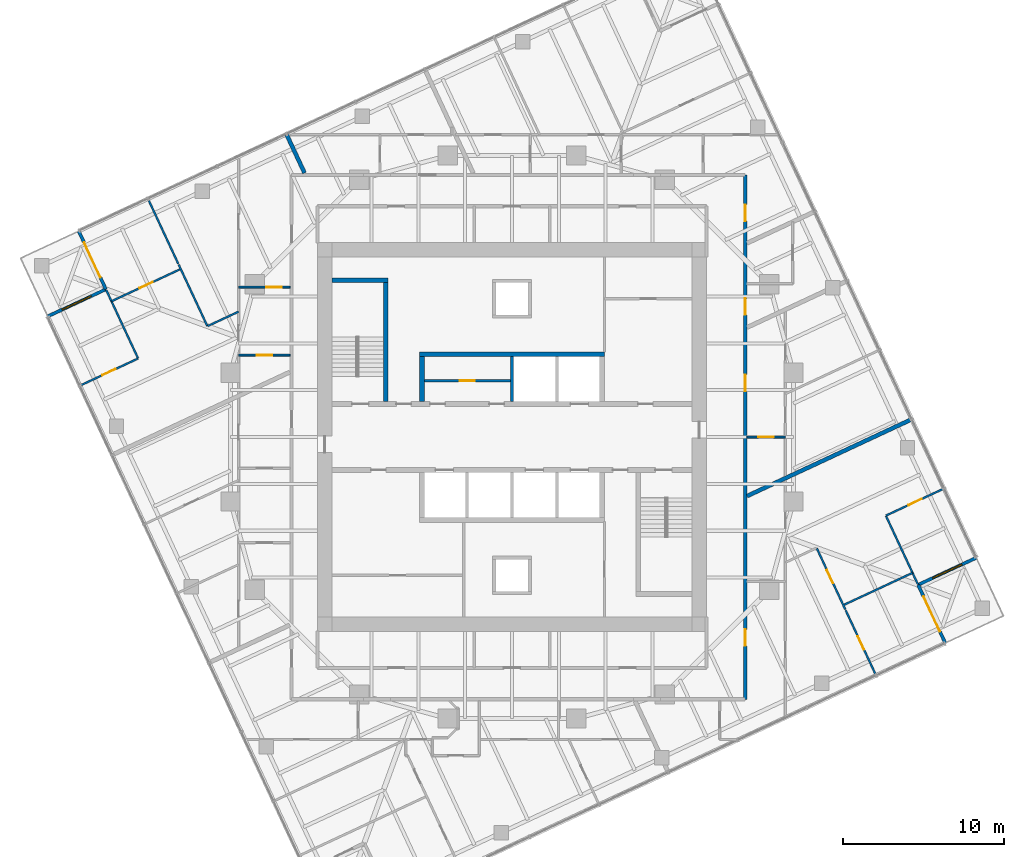
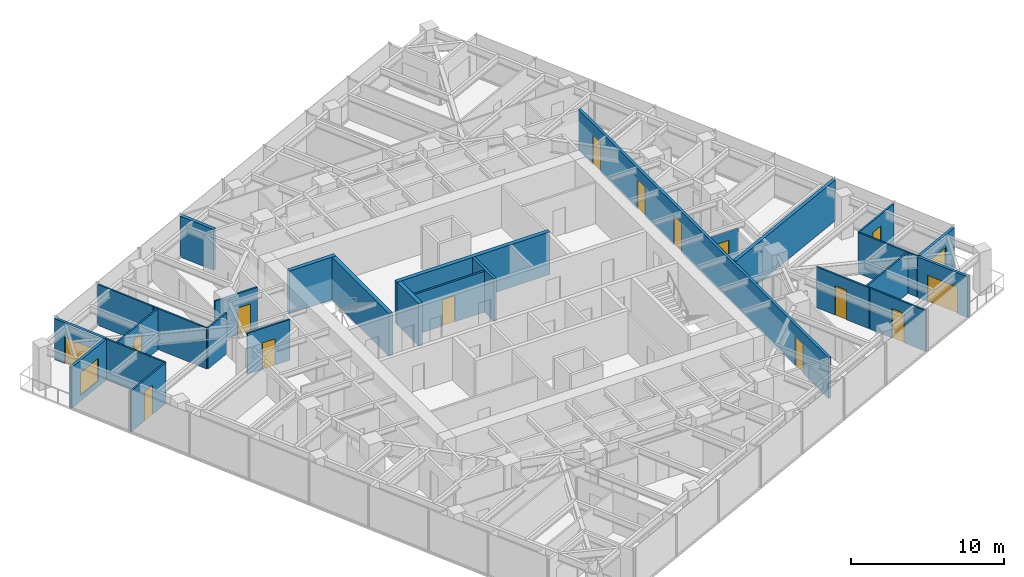
# One storey, part 10 of 13: 27 walls, 15 doors, 2 windows, 17 openings.
"""IFC4 building model written with IfcOpenShell, lengths in metres."""

import ifcopenshell
import ifcopenshell.guid

model = None  # the IFC model being written
_history = None  # IfcOwnerHistory: only IFC2X3 demands one
_inside = {}  # id of a spatial element -> (the spatial element, [elements in it])
_under = {}  # id of a project, library or spatial element -> (it, [spatial elements below it])
_declared = {}  # id of a project -> (the project, [libraries it declares])
_typed = {}  # id of a type object -> (the type object, [elements of that type])
_made_of = {}  # id of a material, layer set ... -> (it, [elements and type objects made of it])


def new_model(schema):
    """Start an empty IFC model of exactly this schema.

    Asked for "IFC4X3", IfcOpenShell would pick the latest addendum, in which some entities
    have other attributes; the version numbers below select the first issue.
    IFC2X3 requires an IfcOwnerHistory on every rooted entity: one is made here for all.
    """
    global model, _history
    if schema == "IFC4X3":
        model = ifcopenshell.file(schema_version=(4, 3, 0, 0))
    else:
        model = ifcopenshell.file(schema=schema)
    _inside.clear()
    _under.clear()
    _declared.clear()
    _typed.clear()
    _made_of.clear()
    _history = None
    if model.schema == "IFC2X3":
        org = make("IfcOrganization", Name="unknown")
        user = make(
            "IfcPersonAndOrganization",
            ThePerson=make("IfcPerson", FamilyName="unknown"),
            TheOrganization=org,
        )
        app = make(
            "IfcApplication",
            ApplicationDeveloper=org,
            Version="unknown",
            ApplicationFullName="unknown",
            ApplicationIdentifier="unknown",
        )
        _history = make(
            "IfcOwnerHistory",
            OwningUser=user,
            OwningApplication=app,
            ChangeAction="ADDED",
            CreationDate=0,
        )
    return model


def make(cls, **values):
    """One entity of the class cls with the attributes given. An attribute that is None is left unset."""
    return model.create_entity(
        cls, **{name: value for name, value in values.items() if value is not None}
    )


def rooted(cls, **values):
    """An entity with a GlobalId (a new one), such as an element, a storey or a relation."""
    return make(cls, GlobalId=ifcopenshell.guid.new(), OwnerHistory=_history, **values)


def si_unit(unit_type, name, prefix=None):
    """IfcSIUnit, for example si_unit("LENGTHUNIT", "METRE", prefix="MILLI")."""
    return make("IfcSIUnit", UnitType=unit_type, Prefix=prefix, Name=name)


def assignment(units):
    """IfcUnitAssignment: the units of a project."""
    return None if units is None else make("IfcUnitAssignment", Units=units)


def point(xyz):
    """IfcCartesianPoint."""
    return None if xyz is None else make("IfcCartesianPoint", Coordinates=xyz)


def direction(xyz):
    """IfcDirection."""
    return None if xyz is None else make("IfcDirection", DirectionRatios=xyz)


def frame(location, z_axis=None, x_axis=None):
    """IfcAxis2Placement3D, a coordinate frame: its origin and axes. An axis left out is left unset."""
    return make(
        "IfcAxis2Placement3D",
        Location=point(location),
        Axis=direction(z_axis),
        RefDirection=direction(x_axis),
    )


def frame_2d(location, x_axis=None):
    """IfcAxis2Placement2D, a coordinate frame in the plane: its origin and x axis."""
    return make(
        "IfcAxis2Placement2D", Location=point(location), RefDirection=direction(x_axis)
    )


def origin():
    """The frame at (0, 0, 0) with its axes left unset."""
    return frame((0.0, 0.0, 0.0))


def place(relative_to, where):
    """IfcLocalPlacement: puts the frame where relative to a parent placement (None: the world)."""
    return make(
        "IfcLocalPlacement", PlacementRelTo=relative_to, RelativePlacement=where
    )


def context(
    kind, dimensions, precision=None, world=None, true_north=None, identifier=None
):
    """IfcGeometricRepresentationContext, for example the 3D "Model" context."""
    return make(
        "IfcGeometricRepresentationContext",
        ContextIdentifier=identifier,
        ContextType=kind,
        CoordinateSpaceDimension=dimensions,
        Precision=precision,
        WorldCoordinateSystem=world,
        TrueNorth=true_north,
    )


def subcontext(parent, identifier, kind, view, scale=None):
    """IfcGeometricRepresentationSubContext, for example "Body" below "Model"."""
    return make(
        "IfcGeometricRepresentationSubContext",
        ContextIdentifier=identifier,
        ContextType=kind,
        ParentContext=parent,
        TargetScale=scale,
        TargetView=view,
    )


def project(units=None, contexts=None):
    """IfcProject with its units and contexts."""
    return rooted(
        "IfcProject",
        Name="project",
        RepresentationContexts=contexts,
        UnitsInContext=assignment(units),
    )


def spatial(cls, under=None, at=None, **own):
    """A site, building, storey or space (cls), placed at a placement, below another one or the project."""
    s = rooted(cls, ObjectPlacement=at, **own)
    if under is not None:
        _under.setdefault(under.id(), (under, []))[1].append(s)
    return s


def profile(cls, at=None, kind="AREA", **sizes):
    """A parametric profile (cls). Its sizes go by their IFC names, for example OverallWidth=200.0."""
    return make(cls, ProfileType=kind, Position=at, **sizes)


def rectangle(**sizes):
    """IfcRectangleProfileDef."""
    return profile("IfcRectangleProfileDef", **sizes)


def extrude(swept, where, along, depth):
    """IfcExtrudedAreaSolid: the profile swept, set in the frame where, extruded along a direction by depth."""
    return make(
        "IfcExtrudedAreaSolid",
        SweptArea=swept,
        Position=where,
        ExtrudedDirection=direction(along),
        Depth=depth,
    )


def shape(context_of_items, identifier, shape_type, items):
    """IfcShapeRepresentation: the items that make up one representation, for example the "Body"."""
    return make(
        "IfcShapeRepresentation",
        ContextOfItems=context_of_items,
        RepresentationIdentifier=identifier,
        RepresentationType=shape_type,
        Items=items,
    )


def material(Name=None, Category=None):
    """IfcMaterial."""
    return make("IfcMaterial", Name=Name, Category=Category)


def layer(
    of_material, thickness, ventilated=None, Name=None, Category=None, Priority=None
):
    """IfcMaterialLayer: one layer of a wall or slab, of a material (None: an air gap)."""
    return make(
        "IfcMaterialLayer",
        Material=of_material,
        LayerThickness=thickness,
        IsVentilated=ventilated,
        Name=Name,
        Category=Category,
        Priority=Priority,
    )


def layer_set(layers, Name=None):
    """IfcMaterialLayerSet."""
    return make("IfcMaterialLayerSet", MaterialLayers=layers, LayerSetName=Name)


def made_of(thing, what):
    """Note that an element or type object is made of a material, layer set ...; save() writes the relation."""
    if what is not None:
        _made_of.setdefault(what.id(), (what, []))[1].append(thing)
    return thing


def type_object(cls, material=None, **own):
    """A type object (cls), such as IfcWallType, which elements share."""
    return made_of(rooted(cls, **own), material)


def element(
    cls,
    number,
    at=None,
    inside=None,
    cuts=None,
    type_object=None,
    material=None,
    context=None,
    identifier="Body",
    shape_type=None,
    held_by="IfcProductDefinitionShape",
    body=None,
    shapes=None,
    **own,
):
    """One element of the class cls, such as IfcWall. Its Tag is "e" and its number.

    at: its placement. inside: the storey or other place that contains it. cuts: it is an
    opening in that element (IfcRelVoidsElement). A single representation is given by context,
    identifier, shape_type and body (its items); several are given by shapes. held_by: the class
    of the entity that holds the representations. save() writes the other relations.
    """
    e = rooted(cls, Tag="e%d" % number, ObjectPlacement=at, **own)
    if body is not None:
        shapes = [shape(context, identifier, shape_type, body)]
    if shapes is not None:
        e.Representation = make(held_by, Representations=shapes)
    if inside is not None:
        _inside.setdefault(inside.id(), (inside, []))[1].append(e)
    if cuts is not None:
        rooted(
            "IfcRelVoidsElement", RelatingBuildingElement=cuts, RelatedOpeningElement=e
        )
    if type_object is not None:
        _typed.setdefault(type_object.id(), (type_object, []))[1].append(e)
    return made_of(e, material)


def fill(opening, filler):
    """IfcRelFillsElement: the door or window that sits in an opening."""
    return rooted(
        "IfcRelFillsElement",
        RelatingOpeningElement=opening,
        RelatedBuildingElement=filler,
    )


def aggregate(whole, parts):
    """IfcRelAggregates: a whole, such as a stair, and the parts it consists of."""
    return rooted("IfcRelAggregates", RelatingObject=whole, RelatedObjects=parts)


def save(model, path):
    """Write the relations noted so far, then the file.

    IfcRelAggregates (storeys below a building ...), IfcRelContainedInSpatialStructure (elements
    in a storey), IfcRelDefinesByType, IfcRelAssociatesMaterial and IfcRelDeclares: one each for
    every whole, place, type object, material and project.
    """
    for whole, parts in _under.values():
        aggregate(whole, parts)
    for where, things in _inside.values():
        rooted(
            "IfcRelContainedInSpatialStructure",
            RelatedElements=things,
            RelatingStructure=where,
        )
    for kind, things in _typed.values():
        rooted("IfcRelDefinesByType", RelatedObjects=things, RelatingType=kind)
    for what, things in _made_of.values():
        rooted("IfcRelAssociatesMaterial", RelatedObjects=things, RelatingMaterial=what)
    for by, libraries in _declared.values():
        rooted("IfcRelDeclares", RelatingContext=by, RelatedDefinitions=libraries)
    model.write(path)


model = new_model("IFC4")

# Units and contexts
model_context = context("Model", 3, precision=1e-05, world=origin(), true_north=direction((0.0, 1.0)))
body_context = subcontext(model_context, "Body", "Model", "MODEL_VIEW")
ifc_project = project(units=[si_unit("LENGTHUNIT", "METRE"), si_unit("AREAUNIT", "SQUARE_METRE"), si_unit("VOLUMEUNIT", "CUBIC_METRE"), si_unit("PLANEANGLEUNIT", "RADIAN"), si_unit("MASSUNIT", "GRAM", prefix="KILO")], contexts=[model_context])

# Site, building, storey
site_placement = place(None, origin())
site = spatial("IfcSite", under=ifc_project, at=site_placement, CompositionType="ELEMENT")
building_placement = place(site_placement, origin())
building = spatial("IfcBuilding", under=site, at=building_placement, Name="Torsade Residences", CompositionType="ELEMENT")
storey_placement = place(building_placement, frame((0.0, 0.0, 179.39990234375)))
storey = spatial("IfcBuildingStorey", under=building, at=storey_placement, Name="L49", CompositionType="ELEMENT", Elevation=179.39990234375)

# Walls
ifc_material_1 = material(Name="Concrete 80 MPa", Category="concrete")
ifc_layer_1 = layer(ifc_material_1, 0.300048828125)
ifc_layer_set_1 = layer_set([ifc_layer_1], Name="Concrete 80 MPa")
wall_type_1 = type_object("IfcWallType", Name="CORE INTERNAL WALL 300", PredefinedType="SHEAR", material=ifc_layer_set_1)
wall_1_placement = place(storey_placement, frame((34.25, 35.14990234375, 0.0), z_axis=(0.0, 0.0, 1.0), x_axis=(1.0, 0.0, 0.0)))
element("IfcWall", 1, at=wall_1_placement, inside=storey, type_object=wall_type_1, Name="Core wall BN L49", PredefinedType="SHEAR", context=body_context, shape_type="SweptSolid", body=[
    extrude(rectangle(XDim=11.5, YDim=0.300048828125, at=frame_2d((5.75, 0.0))), origin(), (0.0, 0.0, 1.0), 3.400146484375),
])
wall_2_placement = place(storey_placement, frame((34.39990234375, 32.199951171875, 0.0), z_axis=(0.0, 0.0, 1.0), x_axis=(0.0, 1.0, 0.0)))
element("IfcWall", 2, at=wall_2_placement, inside=storey, type_object=wall_type_1, Name="Core wall DN0 L49", PredefinedType="SHEAR", context=body_context, shape_type="SweptSolid", body=[
    extrude(rectangle(XDim=2.800048828125, YDim=0.300048828125, at=frame_2d((1.39990234375, 0.0))), origin(), (0.0, 0.0, 1.0), 3.400146484375),
])
wall_3_placement = place(storey_placement, frame((32.14990234375, 32.199951171875, 0.0), z_axis=(0.0, 0.0, 1.0), x_axis=(0.0, 1.0, 0.0)))
element("IfcWall", 3, at=wall_3_placement, inside=storey, type_object=wall_type_1, Name="Core wall ST1E L49", PredefinedType="SHEAR", context=body_context, shape_type="SweptSolid", body=[
    extrude(rectangle(XDim=7.699951171875, YDim=0.300048828125, at=frame_2d((3.85009765625, 0.0))), origin(), (0.0, 0.0, 1.0), 3.400146484375),
])
wall_4_placement = place(storey_placement, frame((28.800048828125, 39.75, 0.0), z_axis=(0.0, 0.0, 1.0), x_axis=(1.0, 0.0, 0.0)))
element("IfcWall", 4, at=wall_4_placement, inside=storey, type_object=wall_type_1, Name="Core wall ST1N L49", PredefinedType="SHEAR", context=body_context, shape_type="SweptSolid", body=[
    extrude(rectangle(XDim=3.5, YDim=0.300048828125, at=frame_2d((1.75, 0.0))), origin(), (0.0, 0.0, 1.0), 3.400146484375),
])

# Wall, openings, doors
ifc_material_2 = material(Name="Plasterboard on steel stud", Category="steel")
ifc_layer_2 = layer(ifc_material_2, 0.199951171875)
ifc_layer_set_2 = layer_set([ifc_layer_2], Name="Plasterboard on steel stud")
wall_type_2 = type_object("IfcWallType", Name="CORRIDOR WALL 200", PredefinedType="PARTITIONING", material=ifc_layer_set_2)
wall_5_placement = place(storey_placement, frame((54.5, 13.699951171875, 0.0), z_axis=(0.0, 0.0, 1.0), x_axis=(0.0, 1.0, 0.0)))
wall_5 = element("IfcWall", 5, at=wall_5_placement, inside=storey, type_object=wall_type_2, Name="Corridor wall L49", PredefinedType="PARTITIONING", context=body_context, shape_type="SweptSolid", body=[
    extrude(rectangle(XDim=32.60009765625, YDim=0.199951171875, at=frame_2d((16.300048828125, 0.0))), origin(), (0.0, 0.0, 1.0), 3.25),
])
opening_1_placement = place(wall_5_placement, frame((3.326416015625, 0.0, 0.0)))
opening_1 = element("IfcOpeningElement", 6, at=opening_1_placement, cuts=wall_5, Name="Opening D01", PredefinedType="OPENING", context=body_context, shape_type="SweptSolid", body=[
    extrude(rectangle(XDim=1.02001953125, YDim=2.340087890625, at=frame_2d((0.510009765625, 1.169921875))), frame((0.0, 0.10986328125, 0.0), z_axis=(0.0, -1.0, 0.0), x_axis=(1.0, 0.0, 0.0)), (0.0, 0.0, 1.0), 0.219970703125),
])
opening_2_placement = place(wall_5_placement, frame((19.16064453125, 0.0, 0.0)))
opening_2 = element("IfcOpeningElement", 7, at=opening_2_placement, cuts=wall_5, Name="Opening D01", PredefinedType="OPENING", context=body_context, shape_type="SweptSolid", body=[
    extrude(rectangle(XDim=1.02001953125, YDim=2.340087890625, at=frame_2d((0.510009765625, 1.169921875))), frame((0.0, 0.10986328125, 0.0), z_axis=(0.0, -1.0, 0.0), x_axis=(1.0, 0.0, 0.0)), (0.0, 0.0, 1.0), 0.219970703125),
])
opening_3_placement = place(wall_5_placement, frame((29.72998046875, 0.0, 0.0)))
opening_3 = element("IfcOpeningElement", 8, at=opening_3_placement, cuts=wall_5, Name="Opening D01", PredefinedType="OPENING", context=body_context, shape_type="SweptSolid", body=[
    extrude(rectangle(XDim=1.02001953125, YDim=2.340087890625, at=frame_2d((0.510009765625, 1.169921875))), frame((0.0, 0.10986328125, 0.0), z_axis=(0.0, -1.0, 0.0), x_axis=(1.0, 0.0, 0.0)), (0.0, 0.0, 1.0), 0.219970703125),
])
opening_4_placement = place(wall_5_placement, frame((23.903564453125, 0.0, 0.0)))
opening_4 = element("IfcOpeningElement", 9, at=opening_4_placement, cuts=wall_5, Name="Opening D01", PredefinedType="OPENING", context=body_context, shape_type="SweptSolid", body=[
    extrude(rectangle(XDim=1.02001953125, YDim=2.340087890625, at=frame_2d((0.510009765625, 1.169921875))), frame((0.0, 0.10986328125, 0.0), z_axis=(0.0, -1.0, 0.0), x_axis=(1.0, 0.0, 0.0)), (0.0, 0.0, 1.0), 0.219970703125),
])
ifc_material_3 = material(Name="Solid-core timber fire door", Category="wood")
door_type_1 = type_object("IfcDoorType", Name="APARTMENT ENTRY DOOR 1020x2340", OperationType="NOTDEFINED", PredefinedType="DOOR", material=ifc_material_3)
door_1_placement = place(opening_1_placement, origin())
door_1 = element("IfcDoor", 10, at=door_1_placement, inside=storey, type_object=door_type_1, Name="Door Residential corridor to Kitchen and dining", OperationType="SINGLE_SWING_LEFT", OverallHeight=2.340087890625, OverallWidth=1.02001953125, PredefinedType="DOOR", context=body_context, shape_type="SweptSolid", body=[
    extrude(rectangle(XDim=1.02001953125, YDim=2.340087890625, at=frame_2d((0.510009765625, 1.169921875))), frame((0.0, 0.02490234375, 0.0), z_axis=(0.0, -1.0, 0.0), x_axis=(1.0, 0.0, 0.0)), (0.0, 0.0, 1.0), 0.050048828125),
])
fill(opening_1, door_1)
door_2_placement = place(opening_2_placement, origin())
door_2 = element("IfcDoor", 11, at=door_2_placement, inside=storey, type_object=door_type_1, Name="Door Residential corridor to Kitchen and dining", OperationType="SINGLE_SWING_RIGHT", OverallHeight=2.340087890625, OverallWidth=1.02001953125, PredefinedType="DOOR", context=body_context, shape_type="SweptSolid", body=[
    extrude(rectangle(XDim=1.02001953125, YDim=2.340087890625, at=frame_2d((0.510009765625, 1.169921875))), frame((0.0, 0.02490234375, 0.0), z_axis=(0.0, -1.0, 0.0), x_axis=(1.0, 0.0, 0.0)), (0.0, 0.0, 1.0), 0.050048828125),
])
fill(opening_2, door_2)
door_3_placement = place(opening_3_placement, origin())
door_3 = element("IfcDoor", 12, at=door_3_placement, inside=storey, type_object=door_type_1, Name="Door Residential corridor to Kitchen and dining", OperationType="SINGLE_SWING_RIGHT", OverallHeight=2.340087890625, OverallWidth=1.02001953125, PredefinedType="DOOR", context=body_context, shape_type="SweptSolid", body=[
    extrude(rectangle(XDim=1.02001953125, YDim=2.340087890625, at=frame_2d((0.510009765625, 1.169921875))), frame((0.0, 0.02490234375, 0.0), z_axis=(0.0, -1.0, 0.0), x_axis=(1.0, 0.0, 0.0)), (0.0, 0.0, 1.0), 0.050048828125),
])
fill(opening_3, door_3)
door_4_placement = place(opening_4_placement, origin())
door_4 = element("IfcDoor", 13, at=door_4_placement, inside=storey, type_object=door_type_1, Name="Door Residential corridor to Kitchen, living and sleeping", OperationType="SINGLE_SWING_RIGHT", OverallHeight=2.340087890625, OverallWidth=1.02001953125, PredefinedType="DOOR", context=body_context, shape_type="SweptSolid", body=[
    extrude(rectangle(XDim=1.02001953125, YDim=2.340087890625, at=frame_2d((0.510009765625, 1.169921875))), frame((0.0, 0.02490234375, 0.0), z_axis=(0.0, -1.0, 0.0), x_axis=(1.0, 0.0, 0.0)), (0.0, 0.0, 1.0), 0.050048828125),
])
fill(opening_4, door_4)

# Wall
ifc_material_4 = material(Name="Reinforced blockwork", Category="masonry")
ifc_layer_3 = layer(ifc_material_4, 0.199951171875)
ifc_layer_set_3 = layer_set([ifc_layer_3], Name="Reinforced blockwork")
wall_type_3 = type_object("IfcWallType", Name="LIFT SHAFT DIVIDING WALL 200", PredefinedType="SOLIDWALL", material=ifc_layer_set_3)
wall_6_placement = place(storey_placement, frame((40.0, 32.199951171875, 0.0), z_axis=(0.0, 0.0, 1.0), x_axis=(0.0, 1.0, 0.0)))
element("IfcWall", 14, at=wall_6_placement, inside=storey, type_object=wall_type_3, Name="Core wall DN2 L49", PredefinedType="SOLIDWALL", context=body_context, shape_type="SweptSolid", body=[
    extrude(rectangle(XDim=2.800048828125, YDim=0.199951171875, at=frame_2d((1.39990234375, 0.0))), origin(), (0.0, 0.0, 1.0), 3.400146484375),
])

# Wall, opening, door
ifc_material_5 = material(Name="Plasterboard on steel stud", Category="steel")
ifc_layer_4 = layer(ifc_material_5, 0.1201171875)
ifc_layer_set_4 = layer_set([ifc_layer_4], Name="Plasterboard on steel stud")
wall_type_4 = type_object("IfcWallType", Name="PARTITION 120", PredefinedType="PARTITIONING", material=ifc_layer_set_4)
wall_7_placement = place(storey_placement, frame((60.720947265625, 19.2822265625, 0.0), z_axis=(0.0, 0.0, 1.0), x_axis=(-0.422625167194, 0.906304566939, 0.0)))
wall_7 = element("IfcWall", 15, at=wall_7_placement, inside=storey, type_object=wall_type_4, Name="Partition L49", PredefinedType="PARTITIONING", context=body_context, shape_type="SweptSolid", body=[
    extrude(rectangle(XDim=4.210693359375, YDim=0.1201171875, at=frame_2d((2.10546875, 0.0))), origin(), (0.0, 0.0, 1.0), 3.25),
])
opening_5_placement = place(wall_7_placement, frame((1.793212890625, 0.0, 0.0)))
opening_5 = element("IfcOpeningElement", 16, at=opening_5_placement, cuts=wall_7, Name="Opening D02", PredefinedType="OPENING", context=body_context, shape_type="SweptSolid", body=[
    extrude(rectangle(XDim=0.919921875, YDim=2.340087890625, at=frame_2d((0.4599609375, 1.169921875))), frame((0.0, 0.070068359375, 0.0), z_axis=(0.0, -1.0, 0.0), x_axis=(1.0, 0.0, 0.0)), (0.0, 0.0, 1.0), 0.14013671875),
])
ifc_material_6 = material(Name="Hollow-core timber door", Category="wood")
door_type_2 = type_object("IfcDoorType", Name="INTERNAL DOOR 920x2340", OperationType="NOTDEFINED", PredefinedType="DOOR", material=ifc_material_6)
door_5_placement = place(opening_5_placement, origin())
door_5 = element("IfcDoor", 17, at=door_5_placement, inside=storey, type_object=door_type_2, Name="Door Bedroom 1 to Living room", OperationType="SINGLE_SWING_RIGHT", OverallHeight=2.340087890625, OverallWidth=0.919921875, PredefinedType="DOOR", context=body_context, shape_type="SweptSolid", body=[
    extrude(rectangle(XDim=0.919921875, YDim=2.340087890625, at=frame_2d((0.4599609375, 1.169921875))), frame((0.0, 0.02490234375, 0.0), z_axis=(0.0, -1.0, 0.0), x_axis=(1.0, 0.0, 0.0)), (0.0, 0.0, 1.0), 0.050048828125),
])
fill(opening_5, door_5)

# Wall
wall_8_placement = place(storey_placement, frame((64.90087890625, 21.5576171875, 0.0), z_axis=(0.0, 0.0, 1.0), x_axis=(-0.906315719442, -0.422601250227, 0.0)))
element("IfcWall", 18, at=wall_8_placement, inside=storey, type_object=wall_type_4, Name="Partition L49", PredefinedType="PARTITIONING", context=body_context, shape_type="SweptSolid", body=[
    extrude(rectangle(XDim=4.75, YDim=0.1201171875, at=frame_2d((2.375, 0.0))), origin(), (0.0, 0.0, 1.0), 3.25),
])

# Wall, opening, door
wall_9_placement = place(storey_placement, frame((66.8310546875, 26.78857421875, 0.0), z_axis=(0.0, 0.0, 1.0), x_axis=(-0.9062952203, -0.422645210149, 0.0)))
wall_9 = element("IfcWall", 19, at=wall_9_placement, inside=storey, type_object=wall_type_4, Name="Partition L49", PredefinedType="PARTITIONING", context=body_context, shape_type="SweptSolid", body=[
    extrude(rectangle(XDim=3.949951171875, YDim=0.1201171875, at=frame_2d((1.97509765625, 0.0))), origin(), (0.0, 0.0, 1.0), 3.25),
])
opening_6_placement = place(wall_9_placement, frame((1.4951171875, 0.0, 0.0)))
opening_6 = element("IfcOpeningElement", 20, at=opening_6_placement, cuts=wall_9, Name="Opening D02", PredefinedType="OPENING", context=body_context, shape_type="SweptSolid", body=[
    extrude(rectangle(XDim=0.919921875, YDim=2.340087890625, at=frame_2d((0.4599609375, 1.169921875))), frame((0.0, 0.070068359375, 0.0), z_axis=(0.0, -1.0, 0.0), x_axis=(1.0, 0.0, 0.0)), (0.0, 0.0, 1.0), 0.14013671875),
])
door_6_placement = place(opening_6_placement, origin())
door_6 = element("IfcDoor", 21, at=door_6_placement, inside=storey, type_object=door_type_2, Name="Door Living room to Bedroom 3", OperationType="SINGLE_SWING_RIGHT", OverallHeight=2.340087890625, OverallWidth=0.919921875, PredefinedType="DOOR", context=body_context, shape_type="SweptSolid", body=[
    extrude(rectangle(XDim=0.919921875, YDim=2.340087890625, at=frame_2d((0.4599609375, 1.169921875))), frame((0.0, 0.02490234375, 0.0), z_axis=(0.0, -1.0, 0.0), x_axis=(1.0, 0.0, 0.0)), (0.0, 0.0, 1.0), 0.050048828125),
])
fill(opening_6, door_6)

# Wall
wall_10_placement = place(storey_placement, frame((63.246337890625, 25.105712890625, 0.0), z_axis=(0.0, 0.0, 1.0), x_axis=(0.422632354456, -0.906301215362, 0.0)))
element("IfcWall", 22, at=wall_10_placement, inside=storey, type_object=wall_type_4, Name="Partition L49", PredefinedType="PARTITIONING", context=body_context, shape_type="SweptSolid", body=[
    extrude(rectangle(XDim=4.699951171875, YDim=0.1201171875, at=frame_2d((2.35009765625, 0.0))), origin(), (0.0, 0.0, 1.0), 3.25),
])

# Wall, opening, door
wall_11_placement = place(storey_placement, frame((60.743896484375, 19.23291015625, 0.0), z_axis=(0.0, 0.0, 1.0), x_axis=(0.42260518136, -0.906313886403, 0.0)))
wall_11 = element("IfcWall", 23, at=wall_11_placement, inside=storey, type_object=wall_type_4, Name="Partition L49", PredefinedType="PARTITIONING", context=body_context, shape_type="SweptSolid", body=[
    extrude(rectangle(XDim=4.43505859375, YDim=0.1201171875, at=frame_2d((2.217529296875, 0.0))), origin(), (0.0, 0.0, 1.0), 3.25),
])
opening_7_placement = place(wall_11_placement, frame((1.777587890625, 0.0, 0.0)))
opening_7 = element("IfcOpeningElement", 24, at=opening_7_placement, cuts=wall_11, Name="Opening D02", PredefinedType="OPENING", context=body_context, shape_type="SweptSolid", body=[
    extrude(rectangle(XDim=0.919921875, YDim=2.340087890625, at=frame_2d((0.4599609375, 1.169921875))), frame((0.0, 0.070068359375, 0.0), z_axis=(0.0, -1.0, 0.0), x_axis=(1.0, 0.0, 0.0)), (0.0, 0.0, 1.0), 0.14013671875),
])
door_7_placement = place(opening_7_placement, origin())
door_7 = element("IfcDoor", 25, at=door_7_placement, inside=storey, type_object=door_type_2, Name="Door Bedroom 1 to Bedroom 2", OperationType="SINGLE_SWING_LEFT", OverallHeight=2.340087890625, OverallWidth=0.919921875, PredefinedType="DOOR", context=body_context, shape_type="SweptSolid", body=[
    extrude(rectangle(XDim=0.919921875, YDim=2.340087890625, at=frame_2d((0.4599609375, 1.169921875))), frame((0.0, 0.02490234375, 0.0), z_axis=(0.0, -1.0, 0.0), x_axis=(1.0, 0.0, 0.0)), (0.0, 0.0, 1.0), 0.050048828125),
])
fill(opening_7, door_7)

wall_12_placement = place(storey_placement, frame((57.0, 30.000732421875, 0.0), z_axis=(0.0, 0.0, 1.0), x_axis=(-1.0, 0.0, 0.0)))
wall_12 = element("IfcWall", 26, at=wall_12_placement, inside=storey, type_object=wall_type_4, Name="Partition L49", PredefinedType="PARTITIONING", context=body_context, shape_type="SweptSolid", body=[
    extrude(rectangle(XDim=2.39990234375, YDim=0.1201171875, at=frame_2d((1.199951171875, 0.0))), origin(), (0.0, 0.0, 1.0), 2.796142578125),
])
opening_8_placement = place(wall_12_placement, frame((0.719970703125, 0.0, 0.0)))
opening_8 = element("IfcOpeningElement", 27, at=opening_8_placement, cuts=wall_12, Name="Opening D05", PredefinedType="OPENING", context=body_context, shape_type="SweptSolid", body=[
    extrude(rectangle(XDim=0.9599609375, YDim=2.10009765625, at=frame_2d((0.47998046875, 1.050048828125))), frame((0.0, 0.070068359375, 0.0), z_axis=(0.0, -1.0, 0.0), x_axis=(1.0, 0.0, 0.0)), (0.0, 0.0, 1.0), 0.14013671875),
])
ifc_material_7 = material(Name="Hollow-core timber door in a steel cavity frame", Category="steel")
door_type_3 = type_object("IfcDoorType", Name="BATHROOM CAVITY SLIDING DOOR 960", OperationType="SLIDING_TO_LEFT", PredefinedType="DOOR", material=ifc_material_7)
door_8_placement = place(opening_8_placement, origin())
door_8 = element("IfcDoor", 28, at=door_8_placement, inside=storey, type_object=door_type_3, Name="Door Kitchen and dining to Bathroom", OperationType="SLIDING_TO_LEFT", OverallHeight=2.10009765625, OverallWidth=0.9599609375, PredefinedType="DOOR", context=body_context, shape_type="SweptSolid", body=[
    extrude(rectangle(XDim=0.9599609375, YDim=2.10009765625, at=frame_2d((0.47998046875, 1.050048828125))), frame((0.0, 0.02490234375, 0.0), z_axis=(0.0, -1.0, 0.0), x_axis=(1.0, 0.0, 0.0)), (0.0, 0.0, 1.0), 0.050048828125),
])
fill(opening_8, door_8)

wall_13_placement = place(storey_placement, frame((26.199951171875, 39.318115234375, 0.0), z_axis=(0.0, 0.0, 1.0), x_axis=(-1.0, 0.0, 0.0)))
wall_13 = element("IfcWall", 29, at=wall_13_placement, inside=storey, type_object=wall_type_4, Name="Partition L49", PredefinedType="PARTITIONING", context=body_context, shape_type="SweptSolid", body=[
    extrude(rectangle(XDim=3.199951171875, YDim=0.1201171875, at=frame_2d((1.60009765625, 0.0))), origin(), (0.0, 0.0, 1.0), 3.25),
])
opening_9_placement = place(wall_13_placement, frame((0.52001953125, 0.0, 0.0)))
opening_9 = element("IfcOpeningElement", 30, at=opening_9_placement, cuts=wall_13, Name="Opening D05", PredefinedType="OPENING", context=body_context, shape_type="SweptSolid", body=[
    extrude(rectangle(XDim=0.9599609375, YDim=2.10009765625, at=frame_2d((0.47998046875, 1.050048828125))), frame((0.0, 0.070068359375, 0.0), z_axis=(0.0, -1.0, 0.0), x_axis=(1.0, 0.0, 0.0)), (0.0, 0.0, 1.0), 0.14013671875),
])
door_9_placement = place(opening_9_placement, origin())
door_9 = element("IfcDoor", 31, at=door_9_placement, inside=storey, type_object=door_type_3, Name="Door Kitchen and dining to Bathroom", OperationType="SLIDING_TO_LEFT", OverallHeight=2.10009765625, OverallWidth=0.9599609375, PredefinedType="DOOR", context=body_context, shape_type="SweptSolid", body=[
    extrude(rectangle(XDim=0.9599609375, YDim=2.10009765625, at=frame_2d((0.47998046875, 1.050048828125))), frame((0.0, 0.02490234375, 0.0), z_axis=(0.0, -1.0, 0.0), x_axis=(1.0, 0.0, 0.0)), (0.0, 0.0, 1.0), 0.050048828125),
])
fill(opening_9, door_9)

wall_14_placement = place(storey_placement, frame((26.199951171875, 35.09228515625, 0.0), z_axis=(0.0, 0.0, 1.0), x_axis=(-1.0, 0.0, 0.0)))
wall_14 = element("IfcWall", 32, at=wall_14_placement, inside=storey, type_object=wall_type_4, Name="Partition L49", PredefinedType="PARTITIONING", context=body_context, shape_type="SweptSolid", body=[
    extrude(rectangle(XDim=3.199951171875, YDim=0.1201171875, at=frame_2d((1.60009765625, 0.0))), origin(), (0.0, 0.0, 1.0), 3.25),
])
opening_10_placement = place(wall_14_placement, frame((1.1201171875, 0.0, 0.0)))
opening_10 = element("IfcOpeningElement", 33, at=opening_10_placement, cuts=wall_14, Name="Opening D05", PredefinedType="OPENING", context=body_context, shape_type="SweptSolid", body=[
    extrude(rectangle(XDim=0.9599609375, YDim=2.10009765625, at=frame_2d((0.47998046875, 1.050048828125))), frame((0.0, 0.070068359375, 0.0), z_axis=(0.0, -1.0, 0.0), x_axis=(1.0, 0.0, 0.0)), (0.0, 0.0, 1.0), 0.14013671875),
])
door_10_placement = place(opening_10_placement, origin())
door_10 = element("IfcDoor", 34, at=door_10_placement, inside=storey, type_object=door_type_3, Name="Door Bathroom to Ensuite", OperationType="SLIDING_TO_LEFT", OverallHeight=2.10009765625, OverallWidth=0.9599609375, PredefinedType="DOOR", context=body_context, shape_type="SweptSolid", body=[
    extrude(rectangle(XDim=0.9599609375, YDim=2.10009765625, at=frame_2d((0.47998046875, 1.050048828125))), frame((0.0, 0.02490234375, 0.0), z_axis=(0.0, -1.0, 0.0), x_axis=(1.0, 0.0, 0.0)), (0.0, 0.0, 1.0), 0.050048828125),
])
fill(opening_10, door_10)

# Walls
wall_15_placement = place(storey_placement, frame((19.279052734375, 40.7177734375, 0.0), z_axis=(0.0, 0.0, 1.0), x_axis=(0.422625167194, -0.906304566939, 0.0)))
element("IfcWall", 35, at=wall_15_placement, inside=storey, type_object=wall_type_4, Name="Partition L49", PredefinedType="PARTITIONING", context=body_context, shape_type="SweptSolid", body=[
    extrude(rectangle(XDim=4.210693359375, YDim=0.1201171875, at=frame_2d((2.10546875, 0.0))), origin(), (0.0, 0.0, 1.0), 3.25),
])
wall_16_placement = place(storey_placement, frame((21.07177734375, 36.896728515625, 0.0), z_axis=(0.0, 0.0, 1.0), x_axis=(0.90630329877, 0.422627886727, 0.0)))
element("IfcWall", 36, at=wall_16_placement, inside=storey, type_object=wall_type_4, Name="Partition L49", PredefinedType="PARTITIONING", context=body_context, shape_type="SweptSolid", body=[
    extrude(rectangle(XDim=2.127685546875, YDim=0.1201171875, at=frame_2d((1.06396484375, 0.0))), origin(), (0.0, 0.0, 1.0), 3.25),
])

# Wall, opening, door
wall_17_placement = place(storey_placement, frame((15.099365234375, 38.4423828125, 0.0), z_axis=(0.0, 0.0, 1.0), x_axis=(0.906306539388, 0.422620937321, 0.0)))
wall_17 = element("IfcWall", 37, at=wall_17_placement, inside=storey, type_object=wall_type_4, Name="Partition L49", PredefinedType="PARTITIONING", context=body_context, shape_type="SweptSolid", body=[
    extrude(rectangle(XDim=4.749755859375, YDim=0.1201171875, at=frame_2d((2.375, 0.0))), origin(), (0.0, 0.0, 1.0), 3.25),
])
opening_11_placement = place(wall_17_placement, frame((1.914794921875, 0.0, 0.0)))
opening_11 = element("IfcOpeningElement", 38, at=opening_11_placement, cuts=wall_17, Name="Opening D02", PredefinedType="OPENING", context=body_context, shape_type="SweptSolid", body=[
    extrude(rectangle(XDim=0.919921875, YDim=2.340087890625, at=frame_2d((0.4599609375, 1.169921875))), frame((0.0, 0.070068359375, 0.0), z_axis=(0.0, -1.0, 0.0), x_axis=(1.0, 0.0, 0.0)), (0.0, 0.0, 1.0), 0.14013671875),
])
door_11_placement = place(opening_11_placement, origin())
door_11 = element("IfcDoor", 39, at=door_11_placement, inside=storey, type_object=door_type_2, Name="Door Living room to Bedroom 2", OperationType="SINGLE_SWING_RIGHT", OverallHeight=2.340087890625, OverallWidth=0.919921875, PredefinedType="DOOR", context=body_context, shape_type="SweptSolid", body=[
    extrude(rectangle(XDim=0.919921875, YDim=2.340087890625, at=frame_2d((0.4599609375, 1.169921875))), frame((0.0, 0.02490234375, 0.0), z_axis=(0.0, -1.0, 0.0), x_axis=(1.0, 0.0, 0.0)), (0.0, 0.0, 1.0), 0.050048828125),
])
fill(opening_11, door_11)

wall_18_placement = place(storey_placement, frame((13.1689453125, 33.21142578125, 0.0), z_axis=(0.0, 0.0, 1.0), x_axis=(0.9062952203, 0.422645210149, 0.0)))
wall_18 = element("IfcWall", 40, at=wall_18_placement, inside=storey, type_object=wall_type_4, Name="Partition L49", PredefinedType="PARTITIONING", context=body_context, shape_type="SweptSolid", body=[
    extrude(rectangle(XDim=3.949951171875, YDim=0.1201171875, at=frame_2d((1.97509765625, 0.0))), origin(), (0.0, 0.0, 1.0), 3.25),
])
opening_12_placement = place(wall_18_placement, frame((1.4951171875, 0.0, 0.0)))
opening_12 = element("IfcOpeningElement", 41, at=opening_12_placement, cuts=wall_18, Name="Opening D02", PredefinedType="OPENING", context=body_context, shape_type="SweptSolid", body=[
    extrude(rectangle(XDim=0.919921875, YDim=2.340087890625, at=frame_2d((0.4599609375, 1.169921875))), frame((0.0, 0.070068359375, 0.0), z_axis=(0.0, -1.0, 0.0), x_axis=(1.0, 0.0, 0.0)), (0.0, 0.0, 1.0), 0.14013671875),
])
door_12_placement = place(opening_12_placement, origin())
door_12 = element("IfcDoor", 42, at=door_12_placement, inside=storey, type_object=door_type_2, Name="Door Living room to Bedroom 3", OperationType="SINGLE_SWING_RIGHT", OverallHeight=2.340087890625, OverallWidth=0.919921875, PredefinedType="DOOR", context=body_context, shape_type="SweptSolid", body=[
    extrude(rectangle(XDim=0.919921875, YDim=2.340087890625, at=frame_2d((0.4599609375, 1.169921875))), frame((0.0, 0.02490234375, 0.0), z_axis=(0.0, -1.0, 0.0), x_axis=(1.0, 0.0, 0.0)), (0.0, 0.0, 1.0), 0.050048828125),
])
fill(opening_12, door_12)

# Walls
wall_19_placement = place(storey_placement, frame((16.753662109375, 34.894287109375, 0.0), z_axis=(0.0, 0.0, 1.0), x_axis=(-0.42256979057, 0.906330387937, 0.0)))
element("IfcWall", 43, at=wall_19_placement, inside=storey, type_object=wall_type_4, Name="Partition L49", PredefinedType="PARTITIONING", context=body_context, shape_type="SweptSolid", body=[
    extrude(rectangle(XDim=4.699951171875, YDim=0.1201171875, at=frame_2d((2.35009765625, 0.0))), origin(), (0.0, 0.0, 1.0), 3.25),
])
wall_20_placement = place(storey_placement, frame((19.256103515625, 40.76708984375, 0.0), z_axis=(0.0, 0.0, 1.0), x_axis=(-0.42260518136, 0.906313886403, 0.0)))
element("IfcWall", 44, at=wall_20_placement, inside=storey, type_object=wall_type_4, Name="Partition L49", PredefinedType="PARTITIONING", context=body_context, shape_type="SweptSolid", body=[
    extrude(rectangle(XDim=4.43505859375, YDim=0.1201171875, at=frame_2d((2.217529296875, 0.0))), origin(), (0.0, 0.0, 1.0), 3.25),
])
ifc_material_8 = material(Name="Masonry-lined stud party wall", Category="masonry")
ifc_layer_5 = layer(ifc_material_8, 0.25)
ifc_layer_set_5 = layer_set([ifc_layer_5], Name="Masonry-lined stud party wall")
wall_type_5 = type_object("IfcWallType", Name="PARTY WALL 250", PredefinedType="PARTITIONING", material=ifc_layer_set_5)
wall_21_placement = place(storey_placement, frame((64.85986328125, 31.1103515625, 0.0), z_axis=(0.0, 0.0, 1.0), x_axis=(-0.906306714884, -0.422620560972, 0.0)))
element("IfcWall", 45, at=wall_21_placement, inside=storey, type_object=wall_type_5, Name="Party wall L49", PredefinedType="PARTITIONING", context=body_context, shape_type="SweptSolid", body=[
    extrude(rectangle(XDim=11.30224609375, YDim=0.25, at=frame_2d((5.651123046875, 0.0))), origin(), (0.0, 0.0, 1.0), 3.25),
])
wall_22_placement = place(storey_placement, frame((25.974853515625, 48.837646484375, 0.0), z_axis=(0.0, 0.0, 1.0), x_axis=(0.422590257842, -0.906320844943, 0.0)))
element("IfcWall", 46, at=wall_22_placement, inside=storey, type_object=wall_type_5, Name="Party wall L49", PredefinedType="PARTITIONING", context=body_context, shape_type="SweptSolid", body=[
    extrude(rectangle(XDim=2.67138671875, YDim=0.25, at=frame_2d((1.335693359375, 0.0))), origin(), (0.0, 0.0, 1.0), 3.25),
])

# Wall, opening, door
ifc_material_9 = material(Name="Reinforced blockwork", Category="masonry")
ifc_layer_6 = layer(ifc_material_9, 0.14990234375)
ifc_layer_set_6 = layer_set([ifc_layer_6], Name="Reinforced blockwork")
wall_type_6 = type_object("IfcWallType", Name="SERVICE ROOM WALL 150", PredefinedType="SOLIDWALL", material=ifc_layer_set_6)
wall_23_placement = place(storey_placement, frame((34.550048828125, 33.5, 0.0), z_axis=(0.0, 0.0, 1.0), x_axis=(1.0, 0.0, 0.0)))
wall_23 = element("IfcWall", 47, at=wall_23_placement, inside=storey, type_object=wall_type_6, Name="Service room wall L49", PredefinedType="SOLIDWALL", context=body_context, shape_type="SweptSolid", body=[
    extrude(rectangle(XDim=5.349853515625, YDim=0.14990234375, at=frame_2d((2.6748046875, 0.0))), origin(), (0.0, 0.0, 1.0), 3.25),
])
opening_13_placement = place(wall_23_placement, frame((2.215087890625, 0.0, 0.0)))
opening_13 = element("IfcOpeningElement", 48, at=opening_13_placement, cuts=wall_23, Name="Opening D06", PredefinedType="OPENING", context=body_context, shape_type="SweptSolid", body=[
    extrude(rectangle(XDim=0.919921875, YDim=2.10009765625, at=frame_2d((0.4599609375, 1.050048828125))), frame((0.0, 0.0849609375, 0.0), z_axis=(0.0, -1.0, 0.0), x_axis=(1.0, 0.0, 0.0)), (0.0, 0.0, 1.0), 0.169921875),
])
ifc_material_10 = material(Name="Steel-framed fire door", Category="steel")
door_type_4 = type_object("IfcDoorType", Name="FIRE DOOR 920", OperationType="NOTDEFINED", PredefinedType="DOOR", material=ifc_material_10)
door_13_placement = place(opening_13_placement, origin())
door_13 = element("IfcDoor", 49, at=door_13_placement, inside=storey, type_object=door_type_4, Name="Door Residents storage L49A to Records store L49B", OperationType="SINGLE_SWING_RIGHT", OverallHeight=2.10009765625, OverallWidth=0.919921875, PredefinedType="DOOR", context=body_context, shape_type="SweptSolid", body=[
    extrude(rectangle(XDim=0.919921875, YDim=2.10009765625, at=frame_2d((0.4599609375, 1.050048828125))), frame((0.0, 0.02490234375, 0.0), z_axis=(0.0, -1.0, 0.0), x_axis=(1.0, 0.0, 0.0)), (0.0, 0.0, 1.0), 0.050048828125),
])
fill(opening_13, door_13)

ifc_material_11 = material(Name="Stone-faced precast concrete 40 MPa panel", Category="masonry")
ifc_layer_7 = layer(ifc_material_11, 0.199951171875)
ifc_layer_set_7 = layer_set([ifc_layer_7], Name="Stone-faced precast concrete 40 MPa panel")
wall_type_7 = type_object("IfcWallType", Name="TERRACE WALL 200", PredefinedType="SOLIDWALL", material=ifc_layer_set_7)
wall_24_placement = place(storey_placement, frame((66.940185546875, 17.1845703125, 0.0), z_axis=(0.0, 0.0, 1.0), x_axis=(-0.422658246362, 0.906289140828, 0.0)))
wall_24 = element("IfcWall", 50, at=wall_24_placement, inside=storey, type_object=wall_type_7, Name="Terrace wall L49 2", PredefinedType="SOLIDWALL", context=body_context, shape_type="SweptSolid", body=[
    extrude(rectangle(XDim=4.0, YDim=0.199951171875, at=frame_2d((2.0, 0.0))), origin(), (0.0, 0.0, 1.0), 3.25),
])
opening_14_placement = place(wall_24_placement, frame((0.800048828125, 0.0, 0.0)))
opening_14 = element("IfcOpeningElement", 51, at=opening_14_placement, cuts=wall_24, Name="Opening D10A", PredefinedType="OPENING", context=body_context, shape_type="SweptSolid", body=[
    extrude(rectangle(XDim=2.39990234375, YDim=2.10009765625, at=frame_2d((1.199951171875, 1.050048828125))), frame((0.0, 0.10986328125, 0.0), z_axis=(0.0, -1.0, 0.0), x_axis=(1.0, 0.0, 0.0)), (0.0, 0.0, 1.0), 0.219970703125),
])
ifc_material_12 = material(Name="Aluminium-framed glass door", Category="aluminium")
door_type_5 = type_object("IfcDoorType", Name="TERRACE SLIDING DOOR 2400x2100", OperationType="SLIDING_TO_LEFT", PredefinedType="DOOR", material=ifc_material_12)
door_14_placement = place(opening_14_placement, origin())
door_14 = element("IfcDoor", 52, at=door_14_placement, inside=storey, type_object=door_type_5, Name="Terrace door L49 2", OperationType="SLIDING_TO_LEFT", OverallHeight=2.10009765625, OverallWidth=2.39990234375, PredefinedType="DOOR", context=body_context, shape_type="SweptSolid", body=[
    extrude(rectangle(XDim=2.39990234375, YDim=2.10009765625, at=frame_2d((1.199951171875, 1.050048828125))), frame((0.0, 0.02490234375, 0.0), z_axis=(0.0, -1.0, 0.0), x_axis=(1.0, 0.0, 0.0)), (0.0, 0.0, 1.0), 0.050048828125),
])
fill(opening_14, door_14)

# Wall, opening, window
wall_25_placement = place(storey_placement, frame((65.24951171875, 20.809814453125, 0.0), z_axis=(0.0, 0.0, 1.0), x_axis=(0.906289140828, 0.422658246362, 0.0)))
wall_25 = element("IfcWall", 53, at=wall_25_placement, inside=storey, type_object=wall_type_7, Name="Terrace wall L49 3", PredefinedType="SOLIDWALL", context=body_context, shape_type="SweptSolid", body=[
    extrude(rectangle(XDim=4.0, YDim=0.199951171875, at=frame_2d((2.0, 0.0))), origin(), (0.0, 0.0, 1.0), 3.25),
])
opening_15_placement = place(wall_25_placement, frame((1.0, 0.0, 0.449951171875)))
opening_15 = element("IfcOpeningElement", 54, at=opening_15_placement, cuts=wall_25, Name="Opening W1B", PredefinedType="OPENING", context=body_context, shape_type="SweptSolid", body=[
    extrude(rectangle(XDim=2.0, YDim=1.800048828125, at=frame_2d((1.0, 0.89990234375))), frame((0.0, 0.10986328125, 0.0), z_axis=(0.0, -1.0, 0.0), x_axis=(1.0, 0.0, 0.0)), (0.0, 0.0, 1.0), 0.219970703125),
])
ifc_material_13 = material(Name="Aluminium-framed glass window", Category="aluminium")
window_type = type_object("IfcWindowType", Name="TERRACE WINDOW 2000x1800", PartitioningType="SINGLE_PANEL", PredefinedType="WINDOW", material=ifc_material_13)
window_1_placement = place(opening_15_placement, origin())
window_1 = element("IfcWindow", 55, at=window_1_placement, inside=storey, type_object=window_type, Name="Terrace window L49 3", OverallHeight=1.800048828125, OverallWidth=2.0, PartitioningType="SINGLE_PANEL", PredefinedType="WINDOW", context=body_context, shape_type="SweptSolid", body=[
    extrude(rectangle(XDim=2.0, YDim=1.800048828125, at=frame_2d((1.0, 0.89990234375))), frame((0.0, 0.030029296875, 0.0), z_axis=(0.0, -1.0, 0.0), x_axis=(1.0, 0.0, 0.0)), (0.0, 0.0, 1.0), 0.06005859375),
])
fill(opening_15, window_1)

# Wall, opening, door
wall_26_placement = place(storey_placement, frame((13.059814453125, 42.8154296875, 0.0), z_axis=(0.0, 0.0, 1.0), x_axis=(0.422658246362, -0.906289140828, 0.0)))
wall_26 = element("IfcWall", 56, at=wall_26_placement, inside=storey, type_object=wall_type_7, Name="Terrace wall L49 8", PredefinedType="SOLIDWALL", context=body_context, shape_type="SweptSolid", body=[
    extrude(rectangle(XDim=4.0, YDim=0.199951171875, at=frame_2d((2.0, 0.0))), origin(), (0.0, 0.0, 1.0), 3.25),
])
opening_16_placement = place(wall_26_placement, frame((0.800048828125, 0.0, 0.0)))
opening_16 = element("IfcOpeningElement", 57, at=opening_16_placement, cuts=wall_26, Name="Opening D10A", PredefinedType="OPENING", context=body_context, shape_type="SweptSolid", body=[
    extrude(rectangle(XDim=2.39990234375, YDim=2.10009765625, at=frame_2d((1.199951171875, 1.050048828125))), frame((0.0, 0.10986328125, 0.0), z_axis=(0.0, -1.0, 0.0), x_axis=(1.0, 0.0, 0.0)), (0.0, 0.0, 1.0), 0.219970703125),
])
door_15_placement = place(opening_16_placement, origin())
door_15 = element("IfcDoor", 58, at=door_15_placement, inside=storey, type_object=door_type_5, Name="Terrace door L49 8", OperationType="SLIDING_TO_LEFT", OverallHeight=2.10009765625, OverallWidth=2.39990234375, PredefinedType="DOOR", context=body_context, shape_type="SweptSolid", body=[
    extrude(rectangle(XDim=2.39990234375, YDim=2.10009765625, at=frame_2d((1.199951171875, 1.050048828125))), frame((0.0, 0.02490234375, 0.0), z_axis=(0.0, -1.0, 0.0), x_axis=(1.0, 0.0, 0.0)), (0.0, 0.0, 1.0), 0.050048828125),
])
fill(opening_16, door_15)

# Wall, opening, window
wall_27_placement = place(storey_placement, frame((14.75048828125, 39.190185546875, 0.0), z_axis=(0.0, 0.0, 1.0), x_axis=(-0.906289140828, -0.422658246362, 0.0)))
wall_27 = element("IfcWall", 59, at=wall_27_placement, inside=storey, type_object=wall_type_7, Name="Terrace wall L49 9", PredefinedType="SOLIDWALL", context=body_context, shape_type="SweptSolid", body=[
    extrude(rectangle(XDim=4.0, YDim=0.199951171875, at=frame_2d((2.0, 0.0))), origin(), (0.0, 0.0, 1.0), 3.25),
])
opening_17_placement = place(wall_27_placement, frame((1.0, 0.0, 0.449951171875)))
opening_17 = element("IfcOpeningElement", 60, at=opening_17_placement, cuts=wall_27, Name="Opening W1B", PredefinedType="OPENING", context=body_context, shape_type="SweptSolid", body=[
    extrude(rectangle(XDim=2.0, YDim=1.800048828125, at=frame_2d((1.0, 0.89990234375))), frame((0.0, 0.10986328125, 0.0), z_axis=(0.0, -1.0, 0.0), x_axis=(1.0, 0.0, 0.0)), (0.0, 0.0, 1.0), 0.219970703125),
])
window_2_placement = place(opening_17_placement, origin())
window_2 = element("IfcWindow", 61, at=window_2_placement, inside=storey, type_object=window_type, Name="Terrace window L49 9", OverallHeight=1.800048828125, OverallWidth=2.0, PartitioningType="SINGLE_PANEL", PredefinedType="WINDOW", context=body_context, shape_type="SweptSolid", body=[
    extrude(rectangle(XDim=2.0, YDim=1.800048828125, at=frame_2d((1.0, 0.89990234375))), frame((0.0, 0.030029296875, 0.0), z_axis=(0.0, -1.0, 0.0), x_axis=(1.0, 0.0, 0.0)), (0.0, 0.0, 1.0), 0.06005859375),
])
fill(opening_17, window_2)

save(model, "model.ifc")
